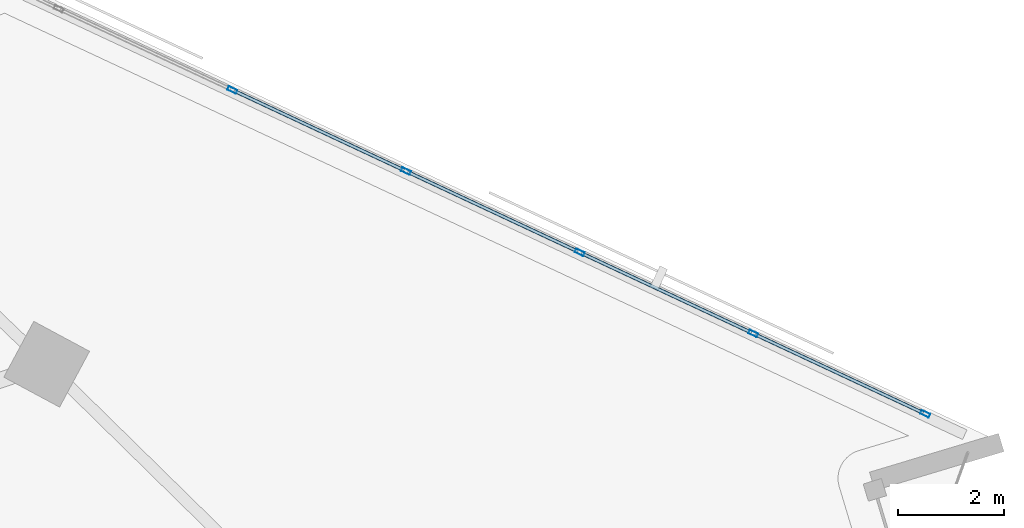
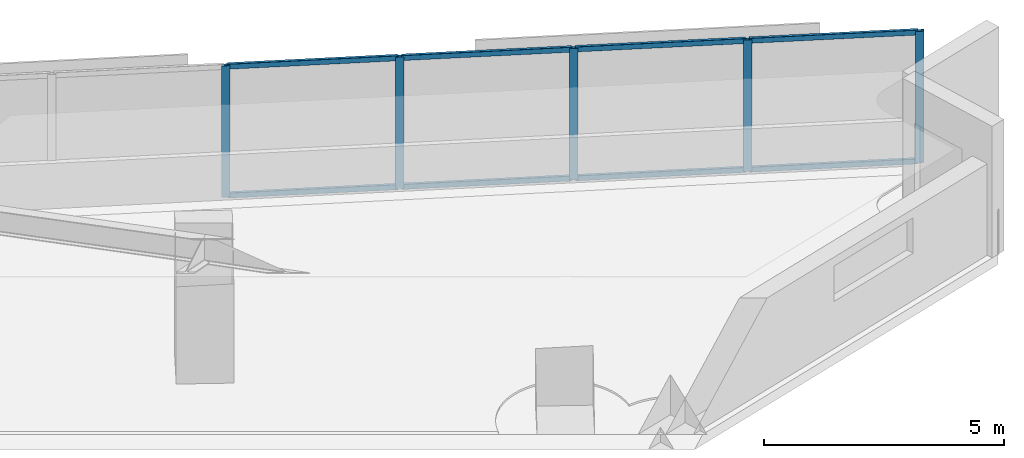
# One storey, part 5 of 16: 13 members, 1 element without a shape of its own.
"""IFC4 building model written with IfcOpenShell, lengths in metres."""

from ifc_helpers import new_model, si_unit, direction, frame, origin, origin_2d, place, context, subcontext, project, spatial, hollow_rectangle, extrude, material, material_profile, profile_set, type_object, element, aggregate, save


model = new_model("IFC4")

# Units and contexts
model_context = context("Model", 3, precision=1e-05, world=origin(), true_north=direction((0.0, 1.0)))
body_context = subcontext(model_context, "Body", "Model", "MODEL_VIEW")
ifc_project = project(units=[si_unit("LENGTHUNIT", "METRE"), si_unit("AREAUNIT", "SQUARE_METRE"), si_unit("VOLUMEUNIT", "CUBIC_METRE"), si_unit("PLANEANGLEUNIT", "RADIAN"), si_unit("MASSUNIT", "GRAM", prefix="KILO")], contexts=[model_context])

# Site, building, storey
site_placement = place(None, origin())
site = spatial("IfcSite", under=ifc_project, at=site_placement, CompositionType="ELEMENT")
building_placement = place(site_placement, origin())
building = spatial("IfcBuilding", under=site, at=building_placement, Name="Narakoshi Arena Tower", CompositionType="ELEMENT")
storey_placement = place(building_placement, frame((0.0, 0.0, 146.699951171875)))
storey = spatial("IfcBuildingStorey", under=building, at=storey_placement, Name="L39", CompositionType="ELEMENT", Elevation=146.699951171875)

# Curtain wall, members
ifc_material = material(Name="Anodised bronze aluminium 6063-T6", Category="aluminium")
curtain_wall_type = type_object("IfcCurtainWallType", Name="CW-HYP-MID", PredefinedType="NOTDEFINED", material=ifc_material)
curtain_wall_placement = place(storey_placement, origin())
curtain_wall = element("IfcCurtainWall", 1, at=curtain_wall_placement, inside=storey, type_object=curtain_wall_type, Name="L39 Folded Hypotenuse Curtain Wall 1-1", PredefinedType="NOTDEFINED")
ifc_material_profile_1 = material_profile(ifc_material, hollow_rectangle(XDim=0.074951171875, YDim=0.179931640625, WallThickness=0.00390625, OuterFilletRadius=0.0048828125, at=origin_2d()), Name="MUL180x75x4")
ifc_profile_set_1 = profile_set([ifc_material_profile_1], Name="Anodised bronze aluminium 6063-T6")
member_type_1 = type_object("IfcMemberType", Name="MEM-MUL-180", PredefinedType="MULLION", material=ifc_profile_set_1)
member_1_placement = place(storey_placement, frame((119.174072265625, 48.238525390625, 0.0), z_axis=(0.0, 0.0, 1.0), x_axis=(-0.423531721612, -0.905881273009, 0.0)))
member_1 = element("IfcMember", 2, at=member_1_placement, type_object=member_type_1, Name="CW-02 mullion 1", PredefinedType="MULLION", context=body_context, shape_type="SweptSolid", body=[
    extrude(hollow_rectangle(XDim=0.074951171875, YDim=0.179931640625, WallThickness=0.00390625, OuterFilletRadius=0.0048828125, at=origin_2d()), origin(), (0.0, 0.0, 1.0), 3.340087890625),
])
member_2_placement = place(storey_placement, frame((115.91650390625, 49.761474609375, 0.0), z_axis=(0.0, 0.0, 1.0), x_axis=(-0.423531721612, -0.905881273009, 0.0)))
member_2 = element("IfcMember", 3, at=member_2_placement, type_object=member_type_1, Name="CW-02 mullion 2", PredefinedType="MULLION", context=body_context, shape_type="SweptSolid", body=[
    extrude(hollow_rectangle(XDim=0.074951171875, YDim=0.179931640625, WallThickness=0.00390625, OuterFilletRadius=0.0048828125, at=origin_2d()), origin(), (0.0, 0.0, 1.0), 3.340087890625),
])
member_3_placement = place(storey_placement, frame((112.625, 51.300537109375, 0.0), z_axis=(0.0, 0.0, 1.0), x_axis=(-0.423531721612, -0.905881273009, 0.0)))
member_3 = element("IfcMember", 4, at=member_3_placement, type_object=member_type_1, Name="CW-02 mullion 3", PredefinedType="MULLION", context=body_context, shape_type="SweptSolid", body=[
    extrude(hollow_rectangle(XDim=0.074951171875, YDim=0.179931640625, WallThickness=0.00390625, OuterFilletRadius=0.0048828125, at=origin_2d()), origin(), (0.0, 0.0, 1.0), 3.340087890625),
])
member_4_placement = place(storey_placement, frame((109.33349609375, 52.83935546875, 0.0), z_axis=(0.0, 0.0, 1.0), x_axis=(-0.423531721612, -0.905881273009, 0.0)))
member_4 = element("IfcMember", 5, at=member_4_placement, type_object=member_type_1, Name="CW-02 mullion 4", PredefinedType="MULLION", context=body_context, shape_type="SweptSolid", body=[
    extrude(hollow_rectangle(XDim=0.074951171875, YDim=0.179931640625, WallThickness=0.00390625, OuterFilletRadius=0.0048828125, at=origin_2d()), origin(), (0.0, 0.0, 1.0), 3.340087890625),
])
member_5_placement = place(storey_placement, frame((106.0419921875, 54.378173828125, 0.0), z_axis=(0.0, 0.0, 1.0), x_axis=(-0.423531721612, -0.905881273009, 0.0)))
member_5 = element("IfcMember", 6, at=member_5_placement, type_object=member_type_1, Name="CW-02 mullion 5", PredefinedType="MULLION", context=body_context, shape_type="SweptSolid", body=[
    extrude(hollow_rectangle(XDim=0.074951171875, YDim=0.179931640625, WallThickness=0.00390625, OuterFilletRadius=0.0048828125, at=origin_2d()), origin(), (0.0, 0.0, 1.0), 3.340087890625),
])
ifc_material_profile_2 = material_profile(ifc_material, hollow_rectangle(XDim=0.06494140625, YDim=0.1298828125, WallThickness=0.00390625, OuterFilletRadius=0.0048828125, at=origin_2d()), Name="TRN130x65x4")
ifc_profile_set_2 = profile_set([ifc_material_profile_2], Name="Anodised bronze aluminium 6063-T6")
member_type_2 = type_object("IfcMemberType", Name="MEM-TRN-130", PredefinedType="USERDEFINED", material=ifc_profile_set_2)
member_6_placement = place(storey_placement, frame((119.14013671875, 48.25439453125, 0.032470703125), z_axis=(-0.905890644442, 0.423511676713, 0.0), x_axis=(-0.423511676713, -0.905890644442, 0.0)))
member_6 = element("IfcMember", 7, at=member_6_placement, type_object=member_type_2, Name="CW-02 transom 1.1", ObjectType="TRANSOM", PredefinedType="USERDEFINED", context=body_context, shape_type="SweptSolid", body=[
    extrude(hollow_rectangle(XDim=0.06494140625, YDim=0.1298828125, WallThickness=0.00390625, OuterFilletRadius=0.0048828125, at=origin_2d()), origin(), (0.0, 0.0, 1.0), 3.52099609375),
])
member_7_placement = place(storey_placement, frame((119.14013671875, 48.25439453125, 3.3076171875), z_axis=(-0.905890644442, 0.423511676713, 0.0), x_axis=(-0.423511676713, -0.905890644442, 0.0)))
member_7 = element("IfcMember", 8, at=member_7_placement, type_object=member_type_2, Name="CW-02 transom 1.2", ObjectType="TRANSOM", PredefinedType="USERDEFINED", context=body_context, shape_type="SweptSolid", body=[
    extrude(hollow_rectangle(XDim=0.06494140625, YDim=0.1298828125, WallThickness=0.00390625, OuterFilletRadius=0.0048828125, at=origin_2d()), origin(), (0.0, 0.0, 1.0), 3.52099609375),
])
member_8_placement = place(storey_placement, frame((115.882568359375, 49.777587890625, 0.032470703125), z_axis=(-0.905890215319, 0.423512594605, 0.0), x_axis=(-0.423512594605, -0.905890215319, 0.0)))
member_8 = element("IfcMember", 9, at=member_8_placement, type_object=member_type_2, Name="CW-02 transom 2.1", ObjectType="TRANSOM", PredefinedType="USERDEFINED", context=body_context, shape_type="SweptSolid", body=[
    extrude(hollow_rectangle(XDim=0.06494140625, YDim=0.1298828125, WallThickness=0.00390625, OuterFilletRadius=0.0048828125, at=origin_2d()), origin(), (0.0, 0.0, 1.0), 3.55859375),
])
member_9_placement = place(storey_placement, frame((115.882568359375, 49.777587890625, 3.3076171875), z_axis=(-0.905890215319, 0.423512594605, 0.0), x_axis=(-0.423512594605, -0.905890215319, 0.0)))
member_9 = element("IfcMember", 10, at=member_9_placement, type_object=member_type_2, Name="CW-02 transom 2.2", ObjectType="TRANSOM", PredefinedType="USERDEFINED", context=body_context, shape_type="SweptSolid", body=[
    extrude(hollow_rectangle(XDim=0.06494140625, YDim=0.1298828125, WallThickness=0.00390625, OuterFilletRadius=0.0048828125, at=origin_2d()), origin(), (0.0, 0.0, 1.0), 3.55859375),
])
member_10_placement = place(storey_placement, frame((112.591064453125, 51.31640625, 0.032470703125), z_axis=(-0.905890215319, 0.423512594605, 0.0), x_axis=(-0.423512594605, -0.905890215319, 0.0)))
member_10 = element("IfcMember", 11, at=member_10_placement, type_object=member_type_2, Name="CW-02 transom 3.1", ObjectType="TRANSOM", PredefinedType="USERDEFINED", context=body_context, shape_type="SweptSolid", body=[
    extrude(hollow_rectangle(XDim=0.06494140625, YDim=0.1298828125, WallThickness=0.00390625, OuterFilletRadius=0.0048828125, at=origin_2d()), origin(), (0.0, 0.0, 1.0), 3.55859375),
])
member_11_placement = place(storey_placement, frame((112.591064453125, 51.31640625, 3.3076171875), z_axis=(-0.905890215319, 0.423512594605, 0.0), x_axis=(-0.423512594605, -0.905890215319, 0.0)))
member_11 = element("IfcMember", 12, at=member_11_placement, type_object=member_type_2, Name="CW-02 transom 3.2", ObjectType="TRANSOM", PredefinedType="USERDEFINED", context=body_context, shape_type="SweptSolid", body=[
    extrude(hollow_rectangle(XDim=0.06494140625, YDim=0.1298828125, WallThickness=0.00390625, OuterFilletRadius=0.0048828125, at=origin_2d()), origin(), (0.0, 0.0, 1.0), 3.55859375),
])
member_12_placement = place(storey_placement, frame((109.299560546875, 52.855224609375, 0.032470703125), z_axis=(-0.905890215319, 0.423512594605, 0.0), x_axis=(-0.423512594605, -0.905890215319, 0.0)))
member_12 = element("IfcMember", 13, at=member_12_placement, type_object=member_type_2, Name="CW-02 transom 4.1", ObjectType="TRANSOM", PredefinedType="USERDEFINED", context=body_context, shape_type="SweptSolid", body=[
    extrude(hollow_rectangle(XDim=0.06494140625, YDim=0.1298828125, WallThickness=0.00390625, OuterFilletRadius=0.0048828125, at=origin_2d()), origin(), (0.0, 0.0, 1.0), 3.55859375),
])
member_13_placement = place(storey_placement, frame((109.299560546875, 52.855224609375, 3.3076171875), z_axis=(-0.905890215319, 0.423512594605, 0.0), x_axis=(-0.423512594605, -0.905890215319, 0.0)))
member_13 = element("IfcMember", 14, at=member_13_placement, type_object=member_type_2, Name="CW-02 transom 4.2", ObjectType="TRANSOM", PredefinedType="USERDEFINED", context=body_context, shape_type="SweptSolid", body=[
    extrude(hollow_rectangle(XDim=0.06494140625, YDim=0.1298828125, WallThickness=0.00390625, OuterFilletRadius=0.0048828125, at=origin_2d()), origin(), (0.0, 0.0, 1.0), 3.55859375),
])
aggregate(curtain_wall, [member_1, member_2, member_3, member_4, member_5, member_6, member_7, member_8, member_9, member_10, member_11, member_12, member_13])

save(model, "model.ifc")
